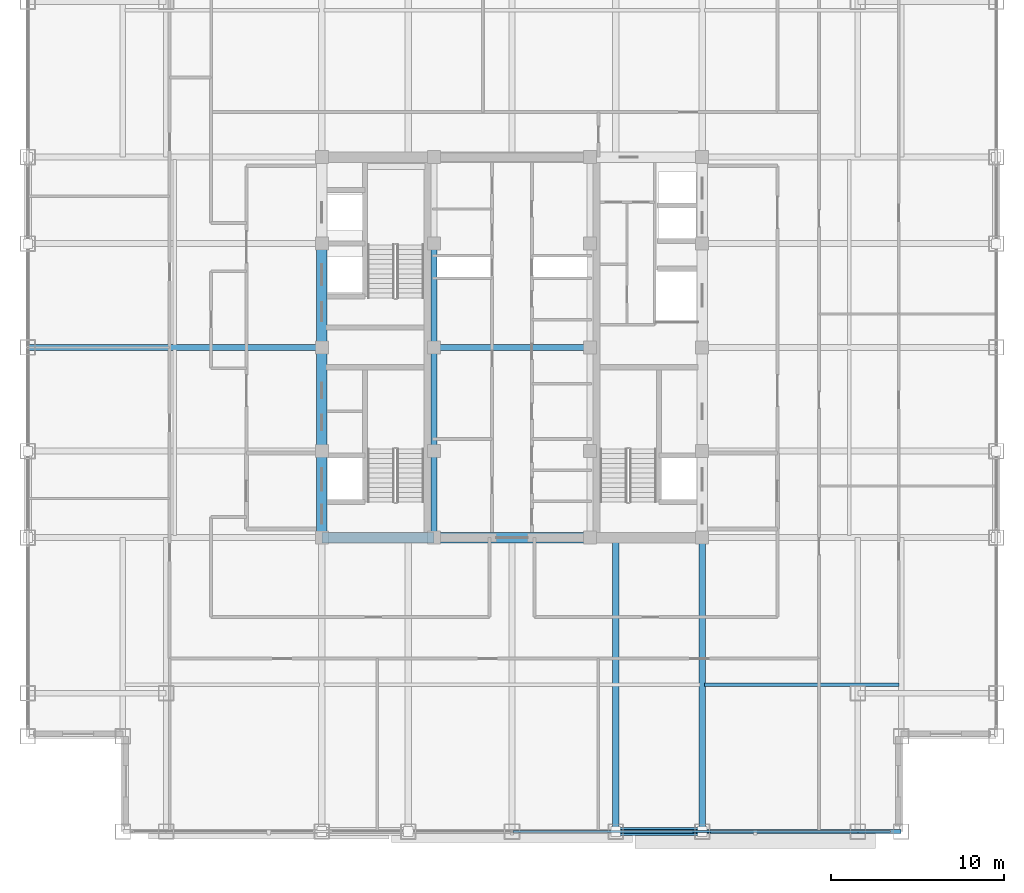
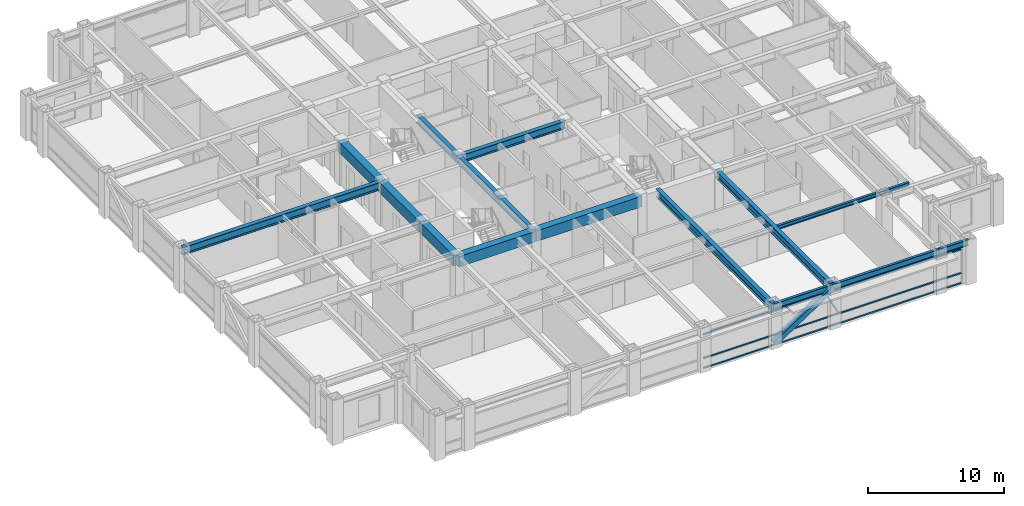
# One storey, part 7 of 27: 16 beams, 5 members, 1 element without a shape of its own.
"""IFC4 building model written with IfcOpenShell, lengths in metres."""

from ifc_helpers import new_model, si_unit, direction, frame, origin, origin_2d, place, context, subcontext, project, spatial, rectangle, hollow_rectangle, i_section, extrude, source, transform, mapped, material, material_profile, profile_set, type_object, element, aggregate, save


model = new_model("IFC4")

# Units and contexts
model_context = context("Model", 3, precision=1e-05, world=origin(), true_north=direction((0.0, 1.0)))
body_context = subcontext(model_context, "Body", "Model", "MODEL_VIEW")
ifc_project = project(units=[si_unit("LENGTHUNIT", "METRE"), si_unit("AREAUNIT", "SQUARE_METRE"), si_unit("VOLUMEUNIT", "CUBIC_METRE"), si_unit("PLANEANGLEUNIT", "RADIAN"), si_unit("MASSUNIT", "GRAM", prefix="KILO")], contexts=[model_context])

# Site, building, storey
site_placement = place(None, origin())
site = spatial("IfcSite", under=ifc_project, at=site_placement, CompositionType="ELEMENT")
building_placement = place(site_placement, origin())
building = spatial("IfcBuilding", under=site, at=building_placement, Name="Khorayat Bourse Tower", CompositionType="ELEMENT")
storey_placement = place(building_placement, frame((0.0, 0.0, 313.5)))
storey = spatial("IfcBuildingStorey", under=building, at=storey_placement, Name="L74", CompositionType="ELEMENT", Elevation=313.5)

# Beams
ifc_material_1 = material(Name="Steel ASTM A992 Grade 50", Category="steel")
ifc_material_profile_1 = material_profile(ifc_material_1, i_section(OverallWidth=0.35498046875, OverallDepth=0.695068359375, WebThickness=0.015380859375, FlangeThickness=0.02490234375, FilletRadius=0.01806640625, at=origin_2d()), Name="W690X217")
ifc_profile_set_1 = profile_set([ifc_material_profile_1], Name="Steel ASTM A992 Grade 50")
beam_type_1 = type_object("IfcBeamType", Name="BM-GIRD-690", PredefinedType="BEAM", material=ifc_profile_set_1)
shared_shape_1 = source(origin(), body_context, "Body", "SweptSolid", [
    extrude(i_section(OverallWidth=0.35498046875, OverallDepth=0.695068359375, WebThickness=0.015380859375, FlangeThickness=0.02490234375, FilletRadius=0.01806640625, at=origin_2d()), origin(), (0.0, 0.0, 1.0), 5.0),
])
beam_1_placement = place(storey_placement, frame((-4.5, -11.0, 3.4326171875), z_axis=(0.0, 1.0, 0.0), x_axis=(-1.0, 0.0, 0.0)))
element("IfcBeam", 1, at=beam_1_placement, inside=storey, type_object=beam_type_1, Name="L74 BM-GIRD-690 BM-L74-CRX-05", PredefinedType="BEAM", context=body_context, shape_type="MappedRepresentation", body=[
    mapped(shared_shape_1, transform((0.0, 0.0, 0.0), scale=1.0)),
])
shared_shape_2 = source(origin(), body_context, "Body", "SweptSolid", [
    extrude(i_section(OverallWidth=0.35498046875, OverallDepth=0.695068359375, WebThickness=0.015380859375, FlangeThickness=0.02490234375, FilletRadius=0.01806640625, at=origin_2d()), origin(), (0.0, 0.0, 1.0), 6.0),
])
for number, where, z_axis, x_axis, name in (
    (2, (-4.5, -6.0, 3.4326171875), (0.0, 1.0, 0.0), (-1.0, 0.0, 0.0), "L74 BM-GIRD-690 BM-L74-CRX-06"),
    (3, (-4.5, 0.0, 3.4326171875), (0.0, 1.0, 0.0), (-1.0, 0.0, 0.0), "L74 BM-GIRD-690 BM-L74-CRX-07"),
):
    element("IfcBeam", number, at=place(storey_placement, frame(where, z_axis=z_axis, x_axis=x_axis)), inside=storey, type_object=beam_type_1, Name=name, PredefinedType="BEAM", context=body_context, shape_type="MappedRepresentation", body=[
        mapped(shared_shape_2, transform((0.0, 0.0, 0.0), scale=1.0)),
    ])
shared_shape_3 = source(origin(), body_context, "Body", "SweptSolid", [
    extrude(i_section(OverallWidth=0.35498046875, OverallDepth=0.695068359375, WebThickness=0.015380859375, FlangeThickness=0.02490234375, FilletRadius=0.01806640625, at=origin_2d()), origin(), (0.0, 0.0, 1.0), 9.0),
])
beam_2_placement = place(storey_placement, frame((-4.5, 0.0, 3.4326171875), z_axis=(1.0, 0.0, 0.0), x_axis=(0.0, 1.0, 0.0)))
element("IfcBeam", 4, at=beam_2_placement, inside=storey, type_object=beam_type_1, Name="L74 BM-GIRD-690 BM-L74-CRY-23", PredefinedType="BEAM", context=body_context, shape_type="MappedRepresentation", body=[
    mapped(shared_shape_3, transform((0.0, 0.0, 0.0), scale=1.0)),
])
ifc_material_2 = material(Name="Concrete C60/75", Category="concrete")
ifc_material_profile_2 = material_profile(ifc_material_2, rectangle(XDim=0.60009765625, YDim=0.949951171875, at=origin_2d()), Name="RC 600x950")
ifc_profile_set_2 = profile_set([ifc_material_profile_2], Name="Concrete C60/75")
beam_type_2 = type_object("IfcBeamType", Name="BM-COUP-950", PredefinedType="BEAM", material=ifc_profile_set_2)
shared_shape_4 = source(origin(), body_context, "Body", "SweptSolid", [
    extrude(rectangle(XDim=0.60009765625, YDim=0.949951171875, at=origin_2d()), origin(), (0.0, 0.0, 1.0), 5.0),
])
beam_3_placement = place(storey_placement, frame((-11.0, -11.0, 3.304931640625), z_axis=(0.0, 1.0, 0.0), x_axis=(-1.0, 0.0, 0.0)))
element("IfcBeam", 5, at=beam_3_placement, inside=storey, type_object=beam_type_2, Name="L74 BM-COUP-950 BM-L74-CRX-01", PredefinedType="BEAM", context=body_context, shape_type="MappedRepresentation", body=[
    mapped(shared_shape_4, transform((0.0, 0.0, 0.0), scale=1.0)),
])
shared_shape_5 = source(origin(), body_context, "Body", "SweptSolid", [
    extrude(rectangle(XDim=0.60009765625, YDim=0.949951171875, at=origin_2d()), origin(), (0.0, 0.0, 1.0), 6.0),
])
for number, where, z_axis, x_axis, name in (
    (6, (-11.0, -6.0, 3.304931640625), (0.0, 1.0, 0.0), (-1.0, 0.0, 0.0), "L74 BM-COUP-950 BM-L74-CRX-02"),
    (7, (-11.0, 0.0, 3.304931640625), (0.0, 1.0, 0.0), (-1.0, 0.0, 0.0), "L74 BM-COUP-950 BM-L74-CRX-03"),
):
    element("IfcBeam", number, at=place(storey_placement, frame(where, z_axis=z_axis, x_axis=x_axis)), inside=storey, type_object=beam_type_2, Name=name, PredefinedType="BEAM", context=body_context, shape_type="MappedRepresentation", body=[
        mapped(shared_shape_5, transform((0.0, 0.0, 0.0), scale=1.0)),
    ])
shared_shape_6 = source(origin(), body_context, "Body", "SweptSolid", [
    extrude(rectangle(XDim=0.60009765625, YDim=0.949951171875, at=origin_2d()), origin(), (0.0, 0.0, 1.0), 6.5),
])
beam_4_placement = place(storey_placement, frame((-11.0, -11.0, 3.304931640625), z_axis=(1.0, 0.0, 0.0), x_axis=(0.0, 1.0, 0.0)))
element("IfcBeam", 8, at=beam_4_placement, inside=storey, type_object=beam_type_2, Name="L74 BM-COUP-950 BM-L74-CRY-17", PredefinedType="BEAM", context=body_context, shape_type="MappedRepresentation", body=[
    mapped(shared_shape_6, transform((0.0, 0.0, 0.0), scale=1.0)),
])
shared_shape_7 = source(origin(), body_context, "Body", "SweptSolid", [
    extrude(rectangle(XDim=0.60009765625, YDim=0.949951171875, at=origin_2d()), origin(), (0.0, 0.0, 1.0), 9.0),
])
beam_5_placement = place(storey_placement, frame((-4.5, -11.0, 3.304931640625), z_axis=(1.0, 0.0, 0.0), x_axis=(0.0, 1.0, 0.0)))
element("IfcBeam", 9, at=beam_5_placement, inside=storey, type_object=beam_type_2, Name="L74 BM-COUP-950 BM-L74-CRY-18", PredefinedType="BEAM", context=body_context, shape_type="MappedRepresentation", body=[
    mapped(shared_shape_7, transform((0.0, 0.0, 0.0), scale=1.0)),
])

# Member
ifc_material_3 = material(Name="Steel EN 10025-4 S460M", Category="steel")
ifc_material_profile_3 = material_profile(ifc_material_3, hollow_rectangle(XDim=0.449951171875, YDim=0.449951171875, WallThickness=0.02490234375, at=origin_2d()), Name="HSS 450x450x25")
ifc_profile_set_3 = profile_set([ifc_material_profile_3], Name="Steel EN 10025-4 S460M")
member_type_1 = type_object("IfcMemberType", Name="MBR-TUBE-450", PredefinedType="BRACE", material=ifc_profile_set_3)
shared_shape_8 = source(origin(), body_context, "Body", "SweptSolid", [
    extrude(hollow_rectangle(XDim=0.449951171875, YDim=0.449951171875, WallThickness=0.02490234375, at=origin_2d()), origin(), (0.0, 0.0, 1.0), 5.979736328125),
])
member_1_placement = place(storey_placement, frame((6.0, -28.0, 0.25), z_axis=(0.836141536525, 0.0, 0.548513747227), x_axis=(0.0, 1.0, 0.0)))
element("IfcMember", 10, at=member_1_placement, inside=storey, type_object=member_type_1, Name="L74 Perimeter Tube Brace 02", PredefinedType="BRACE", context=body_context, shape_type="MappedRepresentation", body=[
    mapped(shared_shape_8, transform((0.0, 0.0, 0.0), scale=1.0)),
])

# Beams
shared_shape_9 = source(origin(), body_context, "Body", "SweptSolid", [
    extrude(i_section(OverallWidth=0.35498046875, OverallDepth=0.695068359375, WebThickness=0.015380859375, FlangeThickness=0.02490234375, FilletRadius=0.01806640625, at=origin_2d()), origin(), (0.0, 0.0, 1.0), 17.0),
])
for number, where, z_axis, x_axis, name in (
    (11, (6.0, -28.0, 3.4326171875), (0.0, 1.0, 0.0), (-1.0, 0.0, 0.0), "L74 BM-GIRD-690 BM-L74-RADY-071"),
    (12, (11.0, -28.0, 3.4326171875), (0.0, 1.0, 0.0), (-1.0, 0.0, 0.0), "L74 BM-GIRD-690 BM-L74-RADY-073"),
    (13, (-28.0, 0.0, 3.4326171875), (1.0, 0.0, 0.0), (0.0, 1.0, 0.0), "L74 BM-GIRD-690 BM-L74-RADX-079"),
):
    element("IfcBeam", number, at=place(storey_placement, frame(where, z_axis=z_axis, x_axis=x_axis)), inside=storey, type_object=beam_type_1, Name=name, PredefinedType="BEAM", context=body_context, shape_type="MappedRepresentation", body=[
        mapped(shared_shape_9, transform((0.0, 0.0, 0.0), scale=1.0)),
    ])
ifc_material_profile_4 = material_profile(ifc_material_1, i_section(OverallWidth=0.202880859375, OverallDepth=0.346923828125, WebThickness=0.0078125, FlangeThickness=0.013427734375, FilletRadius=0.010009765625, at=origin_2d()), Name="W360X64")
ifc_profile_set_4 = profile_set([ifc_material_profile_4], Name="Steel ASTM A992 Grade 50")
beam_type_3 = type_object("IfcBeamType", Name="BM-JOIST-360", PredefinedType="JOIST", material=ifc_profile_set_4)
shared_shape_10 = source(origin(), body_context, "Body", "SweptSolid", [
    extrude(i_section(OverallWidth=0.202880859375, OverallDepth=0.346923828125, WebThickness=0.0078125, FlangeThickness=0.013427734375, FilletRadius=0.010009765625, at=origin_2d()), origin(), (0.0, 0.0, 1.0), 11.240234375),
])
beam_6_placement = place(storey_placement, frame((11.1298828125, -19.5, 3.6064453125), z_axis=(1.0, 0.0, 0.0), x_axis=(0.0, 1.0, 0.0)))
element("IfcBeam", 14, at=beam_6_placement, inside=storey, type_object=beam_type_3, Name="L74 BM-JOIST-360 BM-L74-JSTX-098", PredefinedType="JOIST", context=body_context, shape_type="MappedRepresentation", body=[
    mapped(shared_shape_10, transform((0.0, 0.0, 0.0), scale=1.0)),
])
ifc_material_profile_5 = material_profile(ifc_material_1, i_section(OverallWidth=0.214111328125, OverallDepth=0.549072265625, WebThickness=0.0146484375, FlangeThickness=0.023681640625, FilletRadius=0.013916015625, at=origin_2d()), Name="W530X138")
ifc_profile_set_5 = profile_set([ifc_material_profile_5], Name="Steel ASTM A992 Grade 50")
beam_type_4 = type_object("IfcBeamType", Name="BM-SPAN-530", PredefinedType="SPANDREL", material=ifc_profile_set_5)
shared_shape_11 = source(origin(), body_context, "Body", "SweptSolid", [
    extrude(i_section(OverallWidth=0.214111328125, OverallDepth=0.549072265625, WebThickness=0.0146484375, FlangeThickness=0.023681640625, FilletRadius=0.013916015625, at=origin_2d()), origin(), (0.0, 0.0, 1.0), 2.5),
])
beam_7_placement = place(storey_placement, frame((20.0, -28.0, 3.505615234375), z_axis=(1.0, 0.0, 0.0), x_axis=(0.0, 1.0, 0.0)))
element("IfcBeam", 15, at=beam_7_placement, inside=storey, type_object=beam_type_4, Name="L74 BM-SPAN-530 BM-L74-SPN-031", PredefinedType="SPANDREL", context=body_context, shape_type="MappedRepresentation", body=[
    mapped(shared_shape_11, transform((0.0, 0.0, 0.0), scale=1.0)),
])
shared_shape_12 = source(origin(), body_context, "Body", "SweptSolid", [
    extrude(i_section(OverallWidth=0.214111328125, OverallDepth=0.549072265625, WebThickness=0.0146484375, FlangeThickness=0.023681640625, FilletRadius=0.013916015625, at=origin_2d()), origin(), (0.0, 0.0, 1.0), 9.0),
])
beam_8_placement = place(storey_placement, frame((11.0, -28.0, 3.505615234375), z_axis=(1.0, 0.0, 0.0), x_axis=(0.0, 1.0, 0.0)))
element("IfcBeam", 16, at=beam_8_placement, inside=storey, type_object=beam_type_4, Name="L74 BM-SPAN-530 BM-L74-SPN-030", PredefinedType="SPANDREL", context=body_context, shape_type="MappedRepresentation", body=[
    mapped(shared_shape_12, transform((0.0, 0.0, 0.0), scale=1.0)),
])
shared_shape_13 = source(origin(), body_context, "Body", "SweptSolid", [
    extrude(i_section(OverallWidth=0.214111328125, OverallDepth=0.549072265625, WebThickness=0.0146484375, FlangeThickness=0.023681640625, FilletRadius=0.013916015625, at=origin_2d()), origin(), (0.0, 0.0, 1.0), 5.0),
])
beam_9_placement = place(storey_placement, frame((6.0, -28.0, 3.505615234375), z_axis=(1.0, 0.0, 0.0), x_axis=(0.0, 1.0, 0.0)))
element("IfcBeam", 17, at=beam_9_placement, inside=storey, type_object=beam_type_4, Name="L74 BM-SPAN-530 BM-L74-SPN-029", PredefinedType="SPANDREL", context=body_context, shape_type="MappedRepresentation", body=[
    mapped(shared_shape_13, transform((0.0, 0.0, 0.0), scale=1.0)),
])

# Curtain wall, members
ifc_material_4 = material(Name="Aluminium EN AW-6063 T6", Category="aluminium")
curtain_wall_type = type_object("IfcCurtainWallType", Name="CW-SYS-04", PredefinedType="NOTDEFINED", material=ifc_material_4)
curtain_wall_placement = place(storey_placement, origin())
curtain_wall = element("IfcCurtainWall", 18, at=curtain_wall_placement, inside=storey, type_object=curtain_wall_type, Name="L74 Curtain Wall CW-L74-S1", PredefinedType="NOTDEFINED")
ifc_material_profile_6 = material_profile(ifc_material_4, hollow_rectangle(XDim=0.1201171875, YDim=0.1201171875, WallThickness=0.0048828125, at=origin_2d()), Name="ALU 120x120x5")
ifc_profile_set_6 = profile_set([ifc_material_profile_6], Name="Aluminium EN AW-6063 T6")
member_type_2 = type_object("IfcMemberType", Name="CWM-DIAG-120", PredefinedType="MULLION", material=ifc_profile_set_6)
shared_shape_14 = source(origin(), body_context, "Body", "SweptSolid", [
    extrude(hollow_rectangle(XDim=0.1201171875, YDim=0.1201171875, WallThickness=0.0048828125, at=origin_2d()), origin(), (0.0, 0.0, 1.0), 2.0791015625),
])
member_2_placement = place(storey_placement, frame((11.4541015625, -28.0, 1.090087890625), z_axis=(-0.465717394116, 0.0, 0.884933505309), x_axis=(0.0, -1.0, 0.0)))
member_2 = element("IfcMember", 19, at=member_2_placement, type_object=member_type_2, Name="CW-L74-S1 Faceted Diagonal Mullion 2", PredefinedType="MULLION", context=body_context, shape_type="MappedRepresentation", body=[
    mapped(shared_shape_14, transform((0.0, 0.0, 0.0), scale=1.0)),
])
ifc_material_profile_7 = material_profile(ifc_material_4, hollow_rectangle(XDim=0.1201171875, YDim=0.1201171875, WallThickness=0.0048828125, at=origin_2d()), Name="ALU 120x120x5")
ifc_profile_set_7 = profile_set([ifc_material_profile_7], Name="Aluminium EN AW-6063 T6")
member_type_3 = type_object("IfcMemberType", Name="CWT-HORZ-120", PredefinedType="USERDEFINED", material=ifc_profile_set_7)
shared_shape_15 = source(origin(), body_context, "Body", "SweptSolid", [
    extrude(hollow_rectangle(XDim=0.1201171875, YDim=0.1201171875, WallThickness=0.0048828125, at=origin_2d()), origin(), (0.0, 0.0, 1.0), 21.81982421875),
])
member_3_placement = place(storey_placement, frame((0.06005859375, -28.0, 0.06005859375), z_axis=(1.0, 0.0, 0.0), x_axis=(0.0, 1.0, 0.0)))
member_3 = element("IfcMember", 20, at=member_3_placement, type_object=member_type_3, Name="CW-L74-S1 Horizontal Transom 2-1", ObjectType="TRANSOM", PredefinedType="USERDEFINED", context=body_context, shape_type="MappedRepresentation", body=[
    mapped(shared_shape_15, transform((0.0, 0.0, 0.0), scale=1.0)),
])
member_4_placement = place(storey_placement, frame((0.06005859375, -28.0, 0.949951171875), z_axis=(1.0, 0.0, 0.0), x_axis=(0.0, 1.0, 0.0)))
member_4 = element("IfcMember", 21, at=member_4_placement, type_object=member_type_3, Name="CW-L74-S1 Horizontal Transom 2-2", ObjectType="TRANSOM", PredefinedType="USERDEFINED", context=body_context, shape_type="MappedRepresentation", body=[
    mapped(shared_shape_15, transform((0.0, 0.0, 0.0), scale=1.0)),
])
member_5_placement = place(storey_placement, frame((0.06005859375, -28.0, 3.070068359375), z_axis=(1.0, 0.0, 0.0), x_axis=(0.0, 1.0, 0.0)))
member_5 = element("IfcMember", 22, at=member_5_placement, type_object=member_type_3, Name="CW-L74-S1 Horizontal Transom 2-3", ObjectType="TRANSOM", PredefinedType="USERDEFINED", context=body_context, shape_type="MappedRepresentation", body=[
    mapped(shared_shape_15, transform((0.0, 0.0, 0.0), scale=1.0)),
])
aggregate(curtain_wall, [member_3, member_4, member_5, member_2])

save(model, "model.ifc")
